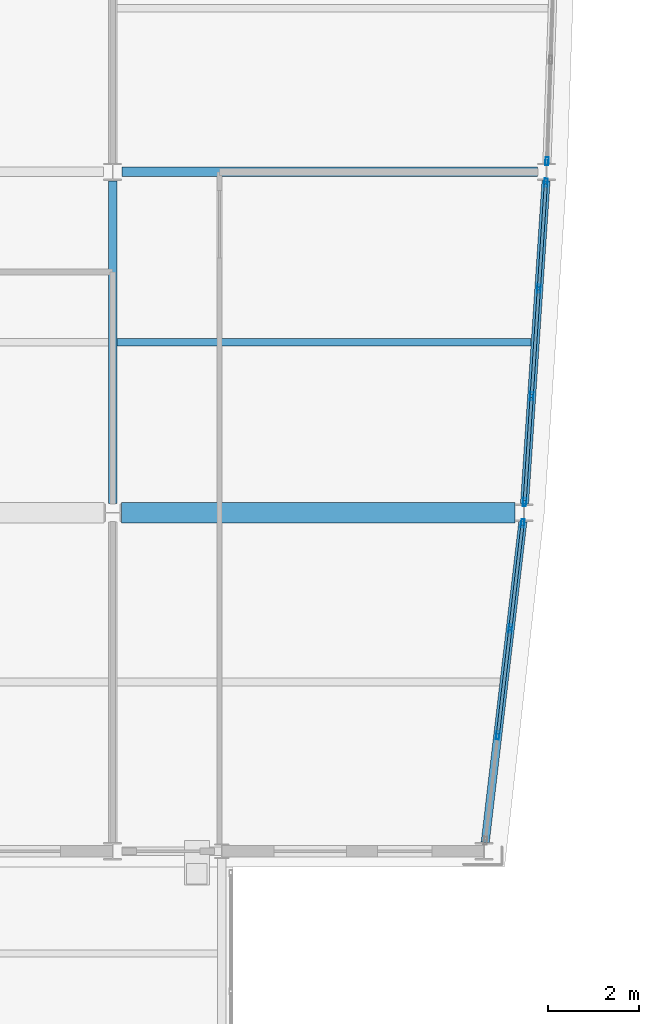
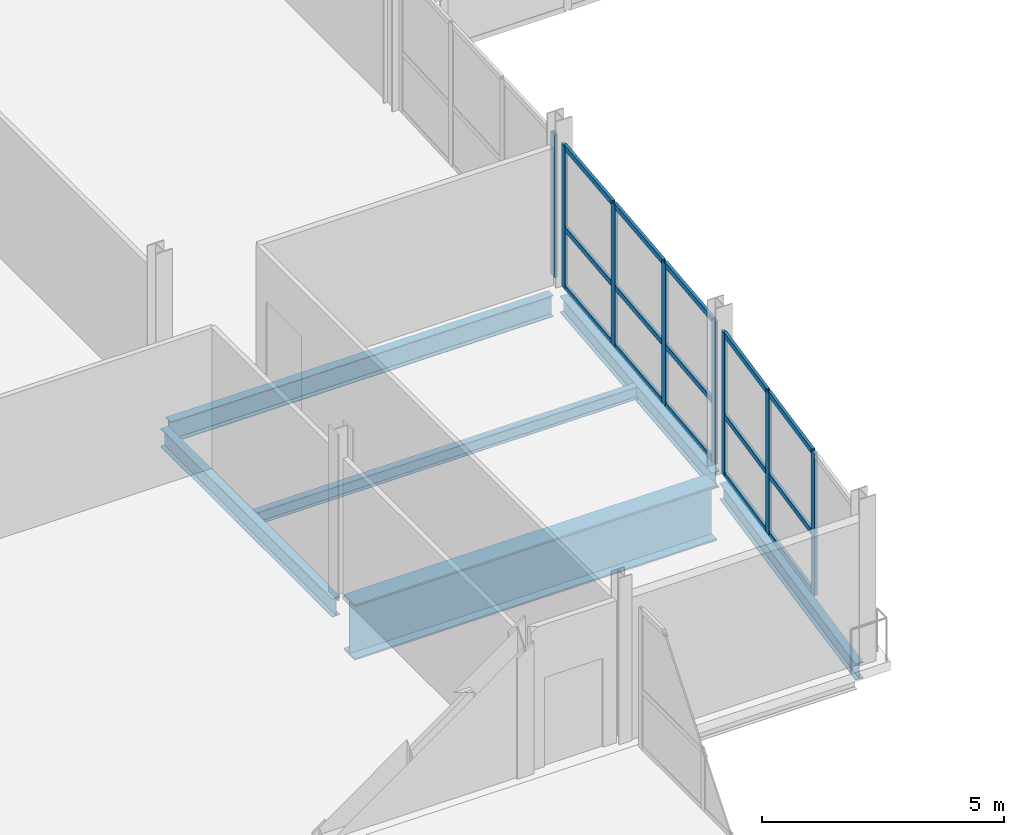
# One storey, part 23 of 60: 23 members, 6 beams, 3 elements without a shape of their own.
"""IFC4 building model written with IfcOpenShell, lengths in metres."""

from ifc_helpers import new_model, si_unit, direction, frame, origin, origin_2d, place, context, subcontext, project, spatial, hollow_rectangle, i_section, extrude, material, layer, layer_set, material_profile, profile_set, type_object, element, aggregate, save


model = new_model("IFC4")

# Units and contexts
model_context = context("Model", 3, precision=1e-05, world=origin(), true_north=direction((0.0, 1.0)))
body_context = subcontext(model_context, "Body", "Model", "MODEL_VIEW")
ifc_project = project(units=[si_unit("LENGTHUNIT", "METRE"), si_unit("AREAUNIT", "SQUARE_METRE"), si_unit("VOLUMEUNIT", "CUBIC_METRE"), si_unit("PLANEANGLEUNIT", "RADIAN"), si_unit("MASSUNIT", "GRAM", prefix="KILO")], contexts=[model_context])

# Site, building, storey
site_placement = place(None, origin())
site = spatial("IfcSite", under=ifc_project, at=site_placement, CompositionType="ELEMENT")
building_placement = place(site_placement, origin())
building = spatial("IfcBuilding", under=site, at=building_placement, Name="Quillay Park Conservatory", CompositionType="ELEMENT")
storey_placement = place(building_placement, frame((0.0, 0.0, 9.89990234375)))
storey = spatial("IfcBuildingStorey", under=building, at=storey_placement, Name="L02", CompositionType="ELEMENT", Elevation=9.89990234375)

# Beam
ifc_material_1 = material(Name="Steel ASTM A992 Grade 50", Category="steel")
ifc_material_profile_1 = material_profile(ifc_material_1, i_section(OverallWidth=0.166015625, OverallDepth=0.31298828125, WebThickness=0.006591796875, FlangeThickness=0.01123046875, FilletRadius=0.010009765625, at=origin_2d()), Name="W310x45")
ifc_profile_set_1 = profile_set([ifc_material_profile_1], Name="Steel ASTM A992 Grade 50")
beam_type_1 = type_object("IfcBeamType", Name="COMPOSITE FLOOR JOIST W310 X45", PredefinedType="JOIST", material=ifc_profile_set_1)
beam_1_placement = place(storey_placement, frame((19.845947265625, 74.25, -0.386474609375), z_axis=(1.0, 0.0, 0.0), x_axis=(0.0, 1.0, 0.0)))
element("IfcBeam", 1, at=beam_1_placement, inside=storey, type_object=beam_type_1, Name="L02 beam BM-J-0210", PredefinedType="JOIST", context=body_context, shape_type="SweptSolid", body=[
    extrude(i_section(OverallWidth=0.166015625, OverallDepth=0.31298828125, WebThickness=0.006591796875, FlangeThickness=0.01123046875, FilletRadius=0.010009765625, at=origin_2d()), origin(), (0.0, 0.0, 1.0), 9.114013671875),
])

# Curtain wall, members
ifc_material_2 = material(Name="Thermally Broken Anodised Aluminium 6063-T6", Category="aluminium")
ifc_layer = layer(ifc_material_2, 0.179931640625)
ifc_layer_set = layer_set([ifc_layer], Name="UNITISED CURTAIN WALL TOWER (Thermally Broken Anodised Aluminium 6063-T6)")
curtain_wall_type = type_object("IfcCurtainWallType", Name="UNITISED CURTAIN WALL TOWER", PredefinedType="USERDEFINED", material=ifc_layer_set)
curtain_wall_1_placement = place(storey_placement, origin())
curtain_wall_1 = element("IfcCurtainWall", 2, at=curtain_wall_1_placement, inside=storey, type_object=curtain_wall_type, Name="L02 Unitised Curtain Wall 019", ObjectType="UNITISED CURTAIN WALL", PredefinedType="USERDEFINED")
ifc_material_3 = material(Name="Thermally Broken Anodised Aluminium 6063-T6", Category="aluminium")
ifc_material_profile_2 = material_profile(ifc_material_3, hollow_rectangle(XDim=0.070068359375, YDim=0.179931640625, WallThickness=0.00390625, at=origin_2d()), Name="AL70x180x4")
ifc_profile_set_2 = profile_set([ifc_material_profile_2], Name="Thermally Broken Anodised Aluminium 6063-T6")
member_type_1 = type_object("IfcMemberType", Name="CURTAIN WALL MULLION 70 X180", PredefinedType="MULLION", material=ifc_profile_set_2)
member_1_placement = place(storey_placement, frame((28.772705078125, 70.2666015625, 0.0), z_axis=(0.0, 0.0, 1.0), x_axis=(0.993172502804, -0.116654959918, 0.0)))
member_1 = element("IfcMember", 3, at=member_1_placement, type_object=member_type_1, Name="CW-T1 mullion 1", PredefinedType="MULLION", context=body_context, shape_type="SweptSolid", body=[
    extrude(hollow_rectangle(XDim=0.070068359375, YDim=0.179931640625, WallThickness=0.00390625, at=origin_2d()), origin(), (0.0, 0.0, 1.0), 3.59912109375),
])
member_2_placement = place(storey_placement, frame((28.50048828125, 67.950439453125, 0.0), z_axis=(0.0, 0.0, 1.0), x_axis=(0.993172502804, -0.116654959918, 0.0)))
member_2 = element("IfcMember", 4, at=member_2_placement, type_object=member_type_1, Name="CW-T1 mullion 2", PredefinedType="MULLION", context=body_context, shape_type="SweptSolid", body=[
    extrude(hollow_rectangle(XDim=0.070068359375, YDim=0.179931640625, WallThickness=0.00390625, at=origin_2d()), origin(), (0.0, 0.0, 1.0), 3.59912109375),
])
member_3_placement = place(storey_placement, frame((28.224365234375, 65.599609375, 0.0), z_axis=(0.0, 0.0, 1.0), x_axis=(0.993172502804, -0.116654959918, 0.0)))
member_3 = element("IfcMember", 5, at=member_3_placement, type_object=member_type_1, Name="CW-T1 mullion 3", PredefinedType="MULLION", context=body_context, shape_type="SweptSolid", body=[
    extrude(hollow_rectangle(XDim=0.070068359375, YDim=0.179931640625, WallThickness=0.00390625, at=origin_2d()), origin(), (0.0, 0.0, 1.0), 3.59912109375),
])

curtain_wall_2_placement = place(storey_placement, origin())
curtain_wall_2 = element("IfcCurtainWall", 6, at=curtain_wall_2_placement, inside=storey, type_object=curtain_wall_type, Name="L02 Unitised Curtain Wall 020", ObjectType="UNITISED CURTAIN WALL", PredefinedType="USERDEFINED")
member_4_placement = place(storey_placement, frame((29.284423828125, 77.765380859375, 0.0), z_axis=(0.0, 0.0, 1.0), x_axis=(0.997785033503, -0.0665208758, 0.0)))
member_4 = element("IfcMember", 7, at=member_4_placement, type_object=member_type_1, Name="CW-T1 mullion 1", PredefinedType="MULLION", context=body_context, shape_type="SweptSolid", body=[
    extrude(hollow_rectangle(XDim=0.070068359375, YDim=0.179931640625, WallThickness=0.00390625, at=origin_2d()), origin(), (0.0, 0.0, 1.0), 3.59912109375),
])
member_5_placement = place(storey_placement, frame((29.12890625, 75.433349609375, 0.0), z_axis=(0.0, 0.0, 1.0), x_axis=(0.997785033503, -0.0665208758, 0.0)))
member_5 = element("IfcMember", 8, at=member_5_placement, type_object=member_type_1, Name="CW-T1 mullion 2", PredefinedType="MULLION", context=body_context, shape_type="SweptSolid", body=[
    extrude(hollow_rectangle(XDim=0.070068359375, YDim=0.179931640625, WallThickness=0.00390625, at=origin_2d()), origin(), (0.0, 0.0, 1.0), 3.59912109375),
])
member_6_placement = place(storey_placement, frame((28.97119140625, 73.066650390625, 0.0), z_axis=(0.0, 0.0, 1.0), x_axis=(0.997785033503, -0.0665208758, 0.0)))
member_6 = element("IfcMember", 9, at=member_6_placement, type_object=member_type_1, Name="CW-T1 mullion 3", PredefinedType="MULLION", context=body_context, shape_type="SweptSolid", body=[
    extrude(hollow_rectangle(XDim=0.070068359375, YDim=0.179931640625, WallThickness=0.00390625, at=origin_2d()), origin(), (0.0, 0.0, 1.0), 3.59912109375),
])
member_7_placement = place(storey_placement, frame((28.815673828125, 70.734619140625, 0.0), z_axis=(0.0, 0.0, 1.0), x_axis=(0.997785033503, -0.0665208758, 0.0)))
member_7 = element("IfcMember", 10, at=member_7_placement, type_object=member_type_1, Name="CW-T1 mullion 4", PredefinedType="MULLION", context=body_context, shape_type="SweptSolid", body=[
    extrude(hollow_rectangle(XDim=0.070068359375, YDim=0.179931640625, WallThickness=0.00390625, at=origin_2d()), origin(), (0.0, 0.0, 1.0), 3.59912109375),
])

# Curtain wall, member
curtain_wall_3_placement = place(storey_placement, origin())
curtain_wall_3 = element("IfcCurtainWall", 11, at=curtain_wall_3_placement, inside=storey, type_object=curtain_wall_type, Name="L02 Unitised Curtain Wall 021", ObjectType="UNITISED CURTAIN WALL", PredefinedType="USERDEFINED")
member_8_placement = place(storey_placement, frame((29.30810546875, 78.23486328125, 0.0), z_axis=(0.0, 0.0, 1.0), x_axis=(0.999397310446, -0.034713338537, 0.0)))
member_8 = element("IfcMember", 12, at=member_8_placement, type_object=member_type_1, Name="CW-T1 mullion 4", PredefinedType="MULLION", context=body_context, shape_type="SweptSolid", body=[
    extrude(hollow_rectangle(XDim=0.070068359375, YDim=0.179931640625, WallThickness=0.00390625, at=origin_2d()), origin(), (0.0, 0.0, 1.0), 3.59912109375),
])
aggregate(curtain_wall_3, [member_8])

# Member
ifc_material_4 = material(Name="Thermally Broken Anodised Aluminium 6063-T6", Category="aluminium")
ifc_material_profile_3 = material_profile(ifc_material_4, hollow_rectangle(XDim=0.070068359375, YDim=0.1298828125, WallThickness=0.003173828125, at=origin_2d()), Name="AL70x130x3.2")
ifc_profile_set_3 = profile_set([ifc_material_profile_3], Name="Thermally Broken Anodised Aluminium 6063-T6")
member_type_2 = type_object("IfcMemberType", Name="CURTAIN WALL TRANSOM 70 X130", PredefinedType="USERDEFINED", material=ifc_profile_set_3)
member_9_placement = place(storey_placement, frame((28.7685546875, 70.23193359375, 0.03515625), z_axis=(-0.116659662976, -0.993171950386, 0.0), x_axis=(0.993171950386, -0.116659662976, 0.0)))
member_9 = element("IfcMember", 13, at=member_9_placement, type_object=member_type_2, Name="CW-T1 transom 1.1", ObjectType="TRANSOM", PredefinedType="USERDEFINED", context=body_context, shape_type="SweptSolid", body=[
    extrude(hollow_rectangle(XDim=0.070068359375, YDim=0.1298828125, WallThickness=0.003173828125, at=origin_2d()), origin(), (0.0, 0.0, 1.0), 2.26220703125),
])

member_10_placement = place(storey_placement, frame((28.7685546875, 70.23193359375, 1.51171875), z_axis=(-0.116659662976, -0.993171950386, 0.0), x_axis=(0.993171950386, -0.116659662976, 0.0)))
member_10 = element("IfcMember", 14, at=member_10_placement, type_object=member_type_2, Name="CW-T1 transom 1.2", ObjectType="TRANSOM", PredefinedType="USERDEFINED", context=body_context, shape_type="SweptSolid", body=[
    extrude(hollow_rectangle(XDim=0.070068359375, YDim=0.1298828125, WallThickness=0.003173828125, at=origin_2d()), origin(), (0.0, 0.0, 1.0), 2.26220703125),
])

member_11_placement = place(storey_placement, frame((28.7685546875, 70.23193359375, 3.564208984375), z_axis=(-0.116659662976, -0.993171950386, 0.0), x_axis=(0.993171950386, -0.116659662976, 0.0)))
member_11 = element("IfcMember", 15, at=member_11_placement, type_object=member_type_2, Name="CW-T1 transom 1.3", ObjectType="TRANSOM", PredefinedType="USERDEFINED", context=body_context, shape_type="SweptSolid", body=[
    extrude(hollow_rectangle(XDim=0.070068359375, YDim=0.1298828125, WallThickness=0.003173828125, at=origin_2d()), origin(), (0.0, 0.0, 1.0), 2.26220703125),
])

member_12_placement = place(storey_placement, frame((28.49658203125, 67.915771484375, 0.03515625), z_axis=(-0.116693255048, -0.993168004029, 0.0), x_axis=(0.993168004029, -0.116693255048, 0.0)))
member_12 = element("IfcMember", 16, at=member_12_placement, type_object=member_type_2, Name="CW-T1 transom 2.1", ObjectType="TRANSOM", PredefinedType="USERDEFINED", context=body_context, shape_type="SweptSolid", body=[
    extrude(hollow_rectangle(XDim=0.070068359375, YDim=0.1298828125, WallThickness=0.003173828125, at=origin_2d()), origin(), (0.0, 0.0, 1.0), 2.297119140625),
])

member_13_placement = place(storey_placement, frame((28.49658203125, 67.915771484375, 1.51171875), z_axis=(-0.116693255048, -0.993168004029, 0.0), x_axis=(0.993168004029, -0.116693255048, 0.0)))
member_13 = element("IfcMember", 17, at=member_13_placement, type_object=member_type_2, Name="CW-T1 transom 2.2", ObjectType="TRANSOM", PredefinedType="USERDEFINED", context=body_context, shape_type="SweptSolid", body=[
    extrude(hollow_rectangle(XDim=0.070068359375, YDim=0.1298828125, WallThickness=0.003173828125, at=origin_2d()), origin(), (0.0, 0.0, 1.0), 2.297119140625),
])

member_14_placement = place(storey_placement, frame((28.49658203125, 67.915771484375, 3.564208984375), z_axis=(-0.116693255048, -0.993168004029, 0.0), x_axis=(0.993168004029, -0.116693255048, 0.0)))
member_14 = element("IfcMember", 18, at=member_14_placement, type_object=member_type_2, Name="CW-T1 transom 2.3", ObjectType="TRANSOM", PredefinedType="USERDEFINED", context=body_context, shape_type="SweptSolid", body=[
    extrude(hollow_rectangle(XDim=0.070068359375, YDim=0.1298828125, WallThickness=0.003173828125, at=origin_2d()), origin(), (0.0, 0.0, 1.0), 2.297119140625),
])

aggregate(curtain_wall_1, [member_1, member_2, member_3, member_9, member_10, member_11, member_12, member_13, member_14])

member_15_placement = place(storey_placement, frame((29.281982421875, 77.73046875, 0.03515625), z_axis=(-0.066447531676, -0.997789920542, 0.0), x_axis=(0.997789920542, -0.066447531676, 0.0)))
member_15 = element("IfcMember", 19, at=member_15_placement, type_object=member_type_2, Name="CW-T1 transom 1.1", ObjectType="TRANSOM", PredefinedType="USERDEFINED", context=body_context, shape_type="SweptSolid", body=[
    extrude(hollow_rectangle(XDim=0.070068359375, YDim=0.1298828125, WallThickness=0.003173828125, at=origin_2d()), origin(), (0.0, 0.0, 1.0), 2.26708984375),
])

member_16_placement = place(storey_placement, frame((29.281982421875, 77.73046875, 1.51171875), z_axis=(-0.066447531676, -0.997789920542, 0.0), x_axis=(0.997789920542, -0.066447531676, 0.0)))
member_16 = element("IfcMember", 20, at=member_16_placement, type_object=member_type_2, Name="CW-T1 transom 1.2", ObjectType="TRANSOM", PredefinedType="USERDEFINED", context=body_context, shape_type="SweptSolid", body=[
    extrude(hollow_rectangle(XDim=0.070068359375, YDim=0.1298828125, WallThickness=0.003173828125, at=origin_2d()), origin(), (0.0, 0.0, 1.0), 2.26708984375),
])

member_17_placement = place(storey_placement, frame((29.281982421875, 77.73046875, 3.564208984375), z_axis=(-0.066447531676, -0.997789920542, 0.0), x_axis=(0.997789920542, -0.066447531676, 0.0)))
member_17 = element("IfcMember", 21, at=member_17_placement, type_object=member_type_2, Name="CW-T1 transom 1.3", ObjectType="TRANSOM", PredefinedType="USERDEFINED", context=body_context, shape_type="SweptSolid", body=[
    extrude(hollow_rectangle(XDim=0.070068359375, YDim=0.1298828125, WallThickness=0.003173828125, at=origin_2d()), origin(), (0.0, 0.0, 1.0), 2.26708984375),
])

member_18_placement = place(storey_placement, frame((29.12646484375, 75.3984375, 0.03515625), z_axis=(-0.066497892916, -0.997786565473, 0.0), x_axis=(0.997786565473, -0.066497892916, 0.0)))
member_18 = element("IfcMember", 22, at=member_18_placement, type_object=member_type_2, Name="CW-T1 transom 2.1", ObjectType="TRANSOM", PredefinedType="USERDEFINED", context=body_context, shape_type="SweptSolid", body=[
    extrude(hollow_rectangle(XDim=0.070068359375, YDim=0.1298828125, WallThickness=0.003173828125, at=origin_2d()), origin(), (0.0, 0.0, 1.0), 2.302001953125),
])

member_19_placement = place(storey_placement, frame((29.12646484375, 75.3984375, 1.51171875), z_axis=(-0.066497892916, -0.997786565473, 0.0), x_axis=(0.997786565473, -0.066497892916, 0.0)))
member_19 = element("IfcMember", 23, at=member_19_placement, type_object=member_type_2, Name="CW-T1 transom 2.2", ObjectType="TRANSOM", PredefinedType="USERDEFINED", context=body_context, shape_type="SweptSolid", body=[
    extrude(hollow_rectangle(XDim=0.070068359375, YDim=0.1298828125, WallThickness=0.003173828125, at=origin_2d()), origin(), (0.0, 0.0, 1.0), 2.302001953125),
])

member_20_placement = place(storey_placement, frame((29.12646484375, 75.3984375, 3.564208984375), z_axis=(-0.066497892916, -0.997786565473, 0.0), x_axis=(0.997786565473, -0.066497892916, 0.0)))
member_20 = element("IfcMember", 24, at=member_20_placement, type_object=member_type_2, Name="CW-T1 transom 2.3", ObjectType="TRANSOM", PredefinedType="USERDEFINED", context=body_context, shape_type="SweptSolid", body=[
    extrude(hollow_rectangle(XDim=0.070068359375, YDim=0.1298828125, WallThickness=0.003173828125, at=origin_2d()), origin(), (0.0, 0.0, 1.0), 2.302001953125),
])

member_21_placement = place(storey_placement, frame((28.96875, 73.031494140625, 0.03515625), z_axis=(-0.066554749564, -0.997782774611, 0.0), x_axis=(0.997782774611, -0.066554749564, 0.0)))
member_21 = element("IfcMember", 25, at=member_21_placement, type_object=member_type_2, Name="CW-T1 transom 3.1", ObjectType="TRANSOM", PredefinedType="USERDEFINED", context=body_context, shape_type="SweptSolid", body=[
    extrude(hollow_rectangle(XDim=0.070068359375, YDim=0.1298828125, WallThickness=0.003173828125, at=origin_2d()), origin(), (0.0, 0.0, 1.0), 2.26708984375),
])

member_22_placement = place(storey_placement, frame((28.96875, 73.031494140625, 1.51171875), z_axis=(-0.066554749564, -0.997782774611, 0.0), x_axis=(0.997782774611, -0.066554749564, 0.0)))
member_22 = element("IfcMember", 26, at=member_22_placement, type_object=member_type_2, Name="CW-T1 transom 3.2", ObjectType="TRANSOM", PredefinedType="USERDEFINED", context=body_context, shape_type="SweptSolid", body=[
    extrude(hollow_rectangle(XDim=0.070068359375, YDim=0.1298828125, WallThickness=0.003173828125, at=origin_2d()), origin(), (0.0, 0.0, 1.0), 2.26708984375),
])

member_23_placement = place(storey_placement, frame((28.96875, 73.031494140625, 3.564208984375), z_axis=(-0.066554749564, -0.997782774611, 0.0), x_axis=(0.997782774611, -0.066554749564, 0.0)))
member_23 = element("IfcMember", 27, at=member_23_placement, type_object=member_type_2, Name="CW-T1 transom 3.3", ObjectType="TRANSOM", PredefinedType="USERDEFINED", context=body_context, shape_type="SweptSolid", body=[
    extrude(hollow_rectangle(XDim=0.070068359375, YDim=0.1298828125, WallThickness=0.003173828125, at=origin_2d()), origin(), (0.0, 0.0, 1.0), 2.26708984375),
])

aggregate(curtain_wall_2, [member_4, member_5, member_6, member_7, member_15, member_16, member_17, member_18, member_19, member_20, member_21, member_22, member_23])

# Beams
ifc_material_5 = material(Name="Steel ASTM A992 Grade 50", Category="steel")
ifc_material_profile_4 = material_profile(ifc_material_5, i_section(OverallWidth=0.179931640625, OverallDepth=0.4130859375, WebThickness=0.009765625, FlangeThickness=0.01611328125, FilletRadius=0.011962890625, at=origin_2d()), Name="W410x74")
ifc_profile_set_4 = profile_set([ifc_material_profile_4], Name="Steel ASTM A992 Grade 50")
beam_type_2 = type_object("IfcBeamType", Name="PERIMETER SPANDREL BEAM W410 X74", PredefinedType="SPANDREL", material=ifc_profile_set_4)
beam_2_placement = place(storey_placement, frame((27.947998046875, 63.2451171875, -0.4365234375), z_axis=(0.116641963047, 0.99317402929, 0.0), x_axis=(-0.99317402929, 0.116641963047, 0.0)))
element("IfcBeam", 28, at=beam_2_placement, inside=storey, type_object=beam_type_2, Name="L02 beam BM-SPE-0199", PredefinedType="SPANDREL", context=body_context, shape_type="SweptSolid", body=[
    extrude(i_section(OverallWidth=0.179931640625, OverallDepth=0.4130859375, WebThickness=0.009765625, FlangeThickness=0.01611328125, FilletRadius=0.011962890625, at=origin_2d()), origin(), (0.0, 0.0, 1.0), 7.108154296875),
])
beam_3_placement = place(storey_placement, frame((28.81298828125, 70.696044921875, -0.4365234375), z_axis=(0.066521285191, 0.99778500621, 0.0), x_axis=(-0.99778500621, 0.066521285191, 0.0)))
element("IfcBeam", 29, at=beam_3_placement, inside=storey, type_object=beam_type_2, Name="L02 beam BM-SPE-0206", PredefinedType="SPANDREL", context=body_context, shape_type="SweptSolid", body=[
    extrude(i_section(OverallWidth=0.179931640625, OverallDepth=0.4130859375, WebThickness=0.009765625, FlangeThickness=0.01611328125, FilletRadius=0.011962890625, at=origin_2d()), origin(), (0.0, 0.0, 1.0), 7.123779296875),
])
ifc_material_6 = material(Name="Steel ASTM A992 Grade 50", Category="steel")
ifc_material_profile_5 = material_profile(ifc_material_6, i_section(OverallWidth=0.19189453125, OverallDepth=0.462890625, WebThickness=0.010498046875, FlangeThickness=0.017578125, FilletRadius=0.012939453125, at=origin_2d()), Name="W460x89")
ifc_profile_set_5 = profile_set([ifc_material_profile_5], Name="Steel ASTM A992 Grade 50")
beam_type_3 = type_object("IfcBeamType", Name="PRIMARY FLOOR GIRDER W460 X89", PredefinedType="BEAM", material=ifc_profile_set_5)
beam_4_placement = place(storey_placement, frame((19.75, 70.699462890625, -0.46142578125), z_axis=(0.0, 1.0, 0.0), x_axis=(-1.0, 0.0, 0.0)))
element("IfcBeam", 30, at=beam_4_placement, inside=storey, type_object=beam_type_3, Name="L02 beam BM-GNS-0208", PredefinedType="BEAM", context=body_context, shape_type="SweptSolid", body=[
    extrude(i_section(OverallWidth=0.19189453125, OverallDepth=0.462890625, WebThickness=0.010498046875, FlangeThickness=0.017578125, FilletRadius=0.012939453125, at=origin_2d()), origin(), (0.0, 0.0, 1.0), 7.10400390625),
])
ifc_material_7 = material(Name="Steel ASTM A992 Grade 50", Category="steel")
ifc_material_profile_6 = material_profile(ifc_material_7, i_section(OverallWidth=0.2109375, OverallDepth=0.5390625, WebThickness=0.01171875, FlangeThickness=0.018798828125, FilletRadius=0.013916015625, at=origin_2d()), Name="W530x109")
ifc_profile_set_6 = profile_set([ifc_material_profile_6], Name="Steel ASTM A992 Grade 50")
beam_type_4 = type_object("IfcBeamType", Name="PRIMARY FLOOR GIRDER W530 X109", PredefinedType="BEAM", material=ifc_profile_set_6)
beam_5_placement = place(storey_placement, frame((19.949462890625, 78.0, -0.49951171875), z_axis=(1.0, 0.0, 0.0), x_axis=(0.0, 1.0, 0.0)))
element("IfcBeam", 31, at=beam_5_placement, inside=storey, type_object=beam_type_4, Name="L02 beam BM-G-0184", PredefinedType="BEAM", context=body_context, shape_type="SweptSolid", body=[
    extrude(i_section(OverallWidth=0.2109375, OverallDepth=0.5390625, WebThickness=0.01171875, FlangeThickness=0.018798828125, FilletRadius=0.013916015625, at=origin_2d()), origin(), (0.0, 0.0, 1.0), 9.151123046875),
])
ifc_material_8 = material(Name="Steel ASTM A572 Grade 50", Category="steel")
ifc_material_profile_7 = material_profile(ifc_material_8, i_section(OverallWidth=0.449951171875, OverallDepth=1.39990234375, WebThickness=0.02392578125, FlangeThickness=0.0439453125, at=origin_2d()), Name="IG1400x450")
ifc_profile_set_7 = profile_set([ifc_material_profile_7], Name="Steel ASTM A572 Grade 50")
beam_type_5 = type_object("IfcBeamType", Name="TRANSFER PLATE GIRDER IG1400", PredefinedType="USERDEFINED", material=ifc_profile_set_7)
beam_6_placement = place(storey_placement, frame((19.946533203125, 70.5, -0.929931640625), z_axis=(1.0, 0.0, 0.0), x_axis=(0.0, 1.0, 0.0)))
element("IfcBeam", 32, at=beam_6_placement, inside=storey, type_object=beam_type_5, Name="L02 beam BM-TG1-0181", ObjectType="TRANSFER PLATE GIRDER", PredefinedType="USERDEFINED", context=body_context, shape_type="SweptSolid", body=[
    extrude(i_section(OverallWidth=0.449951171875, OverallDepth=1.39990234375, WebThickness=0.02392578125, FlangeThickness=0.0439453125, at=origin_2d()), origin(), (0.0, 0.0, 1.0), 8.654052734375),
])

save(model, "model.ifc")
